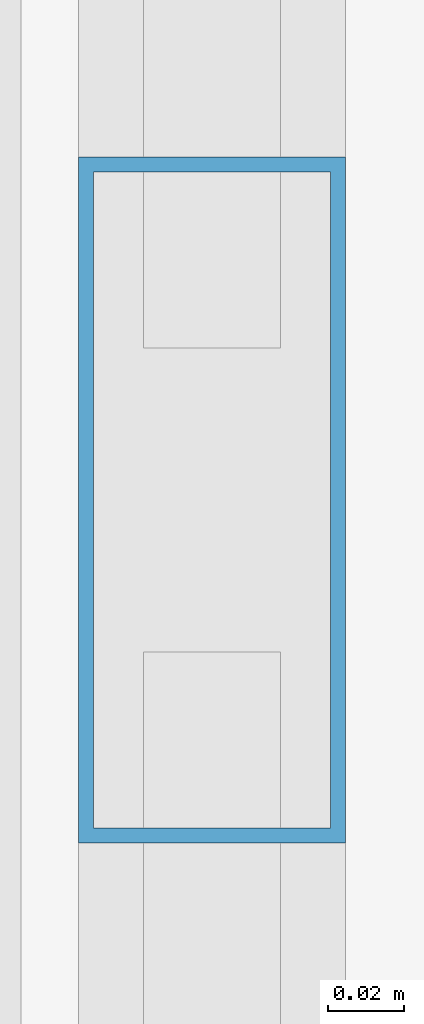
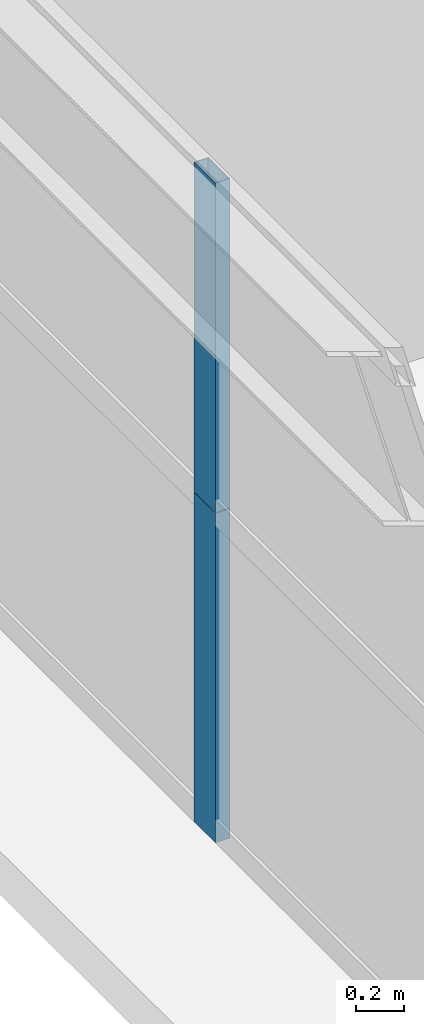
# One storey, part 9 of 43: 2 members, 1 element without a shape of its own.
"""IFC4 building model written with IfcOpenShell, lengths in metres."""

from ifc_helpers import new_model, si_unit, direction, frame, origin, origin_2d, place, context, subcontext, project, spatial, hollow_rectangle, extrude, source, transform, mapped, material, layer, layer_set, material_profile, profile_set, type_object, element, aggregate, save


model = new_model("IFC4")

# Units and contexts
model_context = context("Model", 3, precision=1e-05, world=origin(), true_north=direction((0.0, 1.0)))
body_context = subcontext(model_context, "Body", "Model", "MODEL_VIEW")
ifc_project = project(units=[si_unit("LENGTHUNIT", "METRE"), si_unit("AREAUNIT", "SQUARE_METRE"), si_unit("VOLUMEUNIT", "CUBIC_METRE"), si_unit("PLANEANGLEUNIT", "RADIAN"), si_unit("MASSUNIT", "GRAM", prefix="KILO"), si_unit("THERMODYNAMICTEMPERATUREUNIT", "KELVIN"), si_unit("POWERUNIT", "WATT")], contexts=[model_context])

# Site, building, storey
site_placement = place(None, origin())
site = spatial("IfcSite", under=ifc_project, at=site_placement, CompositionType="ELEMENT")
building_placement = place(site_placement, origin())
building = spatial("IfcBuilding", under=site, at=building_placement, Name="Yuzanri Waterfront Tower", CompositionType="ELEMENT")
storey_placement = place(building_placement, frame((0.0, 0.0, 53.199951171875)))
storey = spatial("IfcBuildingStorey", under=building, at=storey_placement, Name="L13", CompositionType="ELEMENT", Elevation=53.199951171875)

# Curtain wall, members
ifc_material_1 = material(Name="Anodized Architectural Bronze", Category="metal")
ifc_layer = layer(ifc_material_1, 0.159912109375)
ifc_layer_set = layer_set([ifc_layer], Name="Anodized Architectural Bronze")
curtain_wall_type = type_object("IfcCurtainWallType", Name="Anodized Bronze Hotel Lower-Tier Recessed Unitized Curtain Wall 8100", PredefinedType="NOTDEFINED", material=ifc_layer_set)
curtain_wall_placement = place(storey_placement, origin())
curtain_wall = element("IfcCurtainWall", 1, at=curtain_wall_placement, inside=storey, type_object=curtain_wall_type, Name="L13 Curtain Wall CW-L13-WL", PredefinedType="NOTDEFINED")
ifc_material_2 = material(Name="Anodized Architectural Bronze", Category="metal")
ifc_material_profile = material_profile(ifc_material_2, hollow_rectangle(XDim=0.070068359375, YDim=0.179931640625, WallThickness=0.00390625, at=origin_2d()), Name="CWM 70x180")
ifc_profile_set = profile_set([ifc_material_profile], Name="Anodized Architectural Bronze")
member_type = type_object("IfcMemberType", Name="Anodized Bronze Standard Curtain-Wall Mullion 70x180", PredefinedType="MULLION", material=ifc_profile_set)
shared_shape = source(origin(), body_context, "Body", "SweptSolid", [
    extrude(hollow_rectangle(XDim=0.070068359375, YDim=0.179931640625, WallThickness=0.00390625, at=origin_2d()), origin(), (0.0, 0.0, 1.0), 1.68798828125),
])
member_1_placement = place(storey_placement, frame((12.050048828125, 16.699951171875, 0.0), z_axis=(0.0, 0.0, 1.0), x_axis=(1.0, 0.0, 0.0)))
member_1 = element("IfcMember", 2, at=member_1_placement, type_object=member_type, Name="CW-L13-WL Lower Mullion 01", PredefinedType="MULLION", context=body_context, shape_type="MappedRepresentation", body=[
    mapped(shared_shape, transform((0.0, 0.0, 0.0), scale=1.0)),
])
member_2_placement = place(storey_placement, frame((12.050048828125, 16.699951171875, 1.692138671875), z_axis=(0.0, 0.0, 1.0), x_axis=(1.0, 0.0, 0.0)))
member_2 = element("IfcMember", 3, at=member_2_placement, type_object=member_type, Name="CW-L13-WL Upper Mullion 01", PredefinedType="MULLION", context=body_context, shape_type="MappedRepresentation", body=[
    mapped(shared_shape, transform((0.0, 0.0, 0.0), scale=1.0)),
])
aggregate(curtain_wall, [member_1, member_2])

save(model, "model.ifc")
